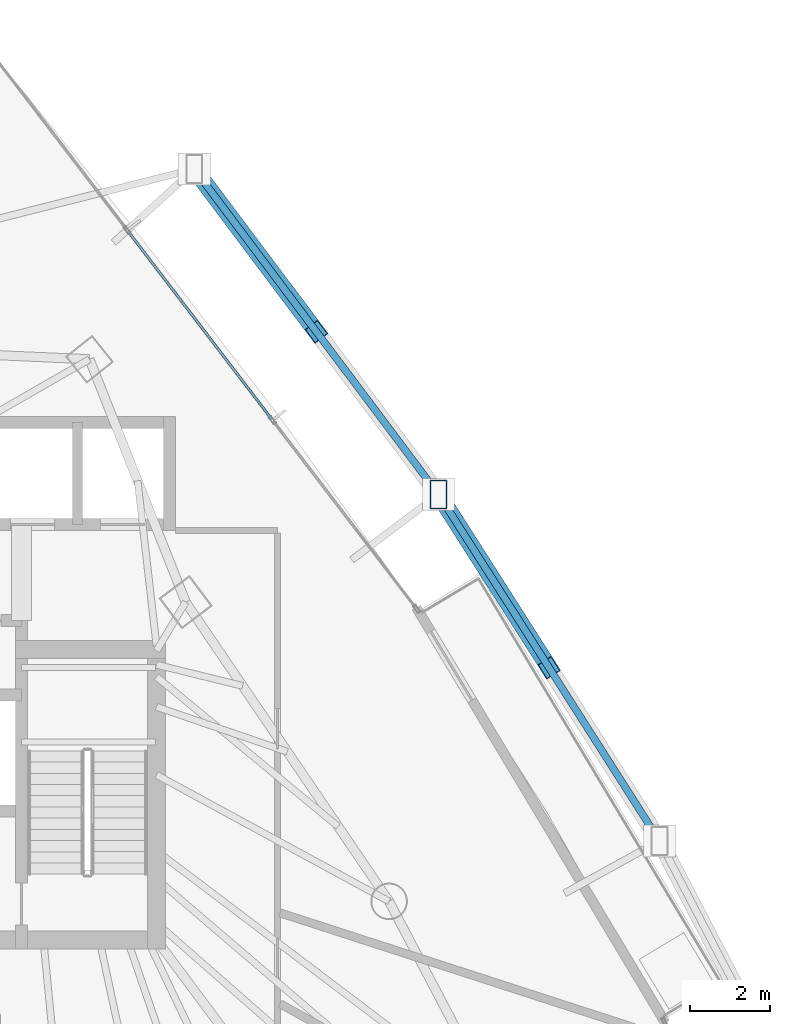
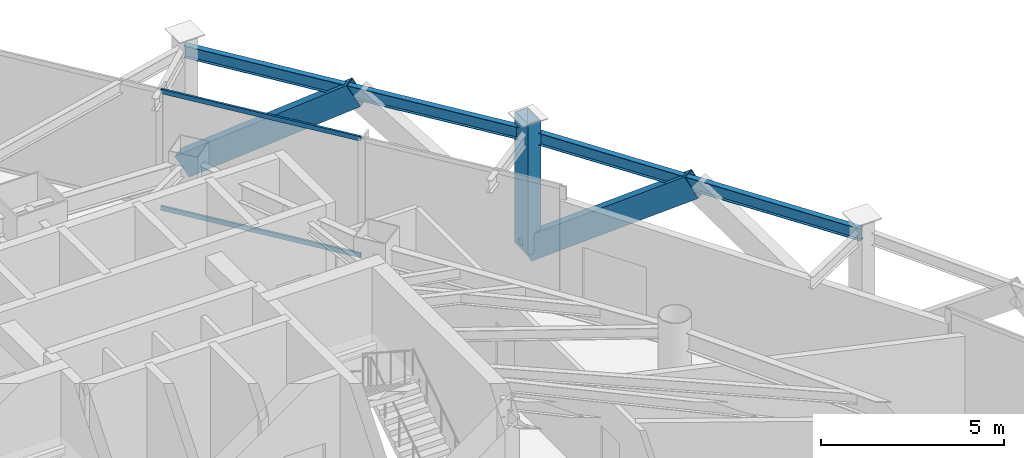
# One storey, part 25 of 33: 5 members, 2 beams, 1 element without a shape of its own.
"""IFC4 building model written with IfcOpenShell, lengths in metres."""

from ifc_helpers import new_model, si_unit, direction, frame, origin, origin_2d, place, context, subcontext, project, spatial, hollow_rectangle, i_section, extrude, material, layer, layer_set, material_profile, profile_set, type_object, element, aggregate, save


model = new_model("IFC4")

# Units and contexts
model_context = context("Model", 3, precision=1e-05, world=origin(), true_north=direction((0.0, 1.0)))
body_context = subcontext(model_context, "Body", "Model", "MODEL_VIEW")
ifc_project = project(units=[si_unit("LENGTHUNIT", "METRE"), si_unit("AREAUNIT", "SQUARE_METRE"), si_unit("VOLUMEUNIT", "CUBIC_METRE"), si_unit("PLANEANGLEUNIT", "RADIAN"), si_unit("MASSUNIT", "GRAM", prefix="KILO")], contexts=[model_context])

# Site, building, storey
site_placement = place(None, origin())
site = spatial("IfcSite", under=ifc_project, at=site_placement, CompositionType="ELEMENT")
building_placement = place(site_placement, origin())
building = spatial("IfcBuilding", under=site, at=building_placement, Name="Orvanel Arch Residences", CompositionType="ELEMENT")
storey_placement = place(building_placement, frame((0.0, 0.0, 97.25)))
storey = spatial("IfcBuildingStorey", under=building, at=storey_placement, Name="L27", CompositionType="ELEMENT", Elevation=97.25)

# Members
ifc_material_1 = material(Name="Structural steel AS/NZS 3678 Grade 350", Category="steel")
ifc_material_profile_1 = material_profile(ifc_material_1, hollow_rectangle(XDim=0.419921875, YDim=0.719970703125, WallThickness=0.02490234375, at=origin_2d()), Name="RHS720x420x25")
ifc_profile_set_1 = profile_set([ifc_material_profile_1], Name="Structural steel AS/NZS 3678 Grade 350")
member_type_1 = type_object("IfcMemberType", Name="BR-720RHS-EXT", PredefinedType="BRACE", material=ifc_profile_set_1)
member_1_placement = place(storey_placement, frame((46.6689453125, 37.800048828125, 0.0), z_axis=(0.434177525212, -0.680840476155, 0.589869581035), x_axis=(0.843147634479, 0.537682124003, 0.0)))
element("IfcMember", 1, at=member_1_placement, inside=storey, type_object=member_type_1, Name="L27 Exterior Sky-Garden V-Frame Chevron F3B2.2", PredefinedType="BRACE", context=body_context, shape_type="SweptSolid", body=[
    extrude(hollow_rectangle(XDim=0.419921875, YDim=0.719970703125, WallThickness=0.02490234375, at=origin_2d()), origin(), (0.0, 0.0, 1.0), 6.352294921875),
])
member_2_placement = place(storey_placement, frame((40.56591796875, 45.927978515625, 0.0), z_axis=(0.483224985191, -0.643655525605, 0.593465397512), x_axis=(0.799711654048, 0.600384268931, 0.0)))
element("IfcMember", 2, at=member_2_placement, inside=storey, type_object=member_type_1, Name="L27 Exterior Sky-Garden V-Frame Chevron F3B3.2", PredefinedType="BRACE", context=body_context, shape_type="SweptSolid", body=[
    extrude(hollow_rectangle(XDim=0.419921875, YDim=0.719970703125, WallThickness=0.02490234375, at=origin_2d()), origin(), (0.0, 0.0, 1.0), 6.31396484375),
])
ifc_material_profile_2 = material_profile(ifc_material_1, hollow_rectangle(XDim=0.419921875, YDim=0.719970703125, WallThickness=0.02490234375, at=origin_2d()), Name="RHS720x420x25")
ifc_profile_set_2 = profile_set([ifc_material_profile_2], Name="Structural steel AS/NZS 3678 Grade 350")
member_type_2 = type_object("IfcMemberType", Name="CH-720RHS-EXT", PredefinedType="CHORD", material=ifc_profile_set_2)
member_3_placement = place(storey_placement, frame((46.6689453125, 37.800048828125, 0.0), z_axis=(0.0, 0.0, 1.0), x_axis=(1.0, 0.0, 0.0)))
element("IfcMember", 3, at=member_3_placement, inside=storey, type_object=member_type_2, Name="L27 Outer Perimeter Frame Post 11", PredefinedType="CHORD", context=body_context, shape_type="SweptSolid", body=[
    extrude(hollow_rectangle(XDim=0.419921875, YDim=0.719970703125, WallThickness=0.02490234375, at=origin_2d()), origin(), (0.0, 0.0, 1.0), 4.35009765625),
])

# Beams
ifc_material_2 = material(Name="Structural steel AS/NZS 3679.1 Grade 300 (300 MPa)", Category="steel")
ifc_material_profile_3 = material_profile(ifc_material_2, i_section(OverallWidth=0.177978515625, OverallDepth=0.406005859375, WebThickness=0.0078125, FlangeThickness=0.0126953125, at=origin_2d()), Name="410UB59.7")
ifc_profile_set_3 = profile_set([ifc_material_profile_3], Name="Structural steel AS/NZS 3679.1 Grade 300 (300 MPa)")
beam_type = type_object("IfcBeamType", Name="OB-410UB-EXT", PredefinedType="SPANDREL", material=ifc_profile_set_3)
beam_1_placement = place(storey_placement, frame((52.18505859375, 29.14990234375, 3.7470703125), z_axis=(-0.53767133566, 0.843154514197, 0.0), x_axis=(-0.843154514197, -0.53767133566, 0.0)))
element("IfcBeam", 4, at=beam_1_placement, inside=storey, type_object=beam_type, Name="L27 Outer Perimeter Floor Ring Beam 10", PredefinedType="SPANDREL", context=body_context, shape_type="SweptSolid", body=[
    extrude(i_section(OverallWidth=0.177978515625, OverallDepth=0.406005859375, WebThickness=0.0078125, FlangeThickness=0.0126953125, at=origin_2d()), origin(), (0.0, 0.0, 1.0), 10.25927734375),
])
beam_2_placement = place(storey_placement, frame((46.6689453125, 37.800048828125, 3.7470703125), z_axis=(-0.600445713401, 0.799665520864, 0.0), x_axis=(-0.799665520864, -0.600445713401, 0.0)))
element("IfcBeam", 5, at=beam_2_placement, inside=storey, type_object=beam_type, Name="L27 Outer Perimeter Floor Ring Beam 11", PredefinedType="SPANDREL", context=body_context, shape_type="SweptSolid", body=[
    extrude(i_section(OverallWidth=0.177978515625, OverallDepth=0.406005859375, WebThickness=0.0078125, FlangeThickness=0.0126953125, at=origin_2d()), origin(), (0.0, 0.0, 1.0), 10.1640625),
])

# Curtain wall, members
ifc_material_3 = material(Name="Bronze-anodised aluminium AA6063-T6", Category="aluminium")
ifc_layer = layer(ifc_material_3, 0.195068359375)
ifc_layer_set = layer_set([ifc_layer], Name="Bronze-anodised aluminium AA6063-T6")
curtain_wall_type = type_object("IfcCurtainWallType", Name="CW6-COM-SYS", PredefinedType="NOTDEFINED", material=ifc_layer_set)
curtain_wall_placement = place(storey_placement, origin())
curtain_wall = element("IfcCurtainWall", 6, at=curtain_wall_placement, inside=storey, type_object=curtain_wall_type, Name="L27 CW6-COM-SYS Unitised Curtain Wall", PredefinedType="NOTDEFINED")
ifc_material_profile_4 = material_profile(ifc_material_3, hollow_rectangle(XDim=0.06494140625, YDim=0.14990234375, WallThickness=0.00390625, at=origin_2d()), Name="ALU150x65x4")
ifc_profile_set_4 = profile_set([ifc_material_profile_4], Name="Bronze-anodised aluminium AA6063-T6")
member_type_3 = type_object("IfcMemberType", Name="TRN-150x65", PredefinedType="USERDEFINED", material=ifc_profile_set_4)
member_4_placement = place(storey_placement, frame((42.498779296875, 39.68505859375, 0.032470703125), z_axis=(-0.607502335514, 0.794317891241, 0.0), x_axis=(-0.794317891241, -0.607502335514, 0.0)))
member_4 = element("IfcMember", 7, at=member_4_placement, type_object=member_type_3, Name="CW-S6 transom 2.1", ObjectType="TRANSOM", PredefinedType="USERDEFINED", context=body_context, shape_type="SweptSolid", body=[
    extrude(hollow_rectangle(XDim=0.06494140625, YDim=0.14990234375, WallThickness=0.00390625, at=origin_2d()), origin(), (0.0, 0.0, 1.0), 5.899169921875),
])
member_5_placement = place(storey_placement, frame((42.498779296875, 39.68505859375, 3.91748046875), z_axis=(-0.607502335514, 0.794317891241, 0.0), x_axis=(-0.794317891241, -0.607502335514, 0.0)))
member_5 = element("IfcMember", 8, at=member_5_placement, type_object=member_type_3, Name="CW-S6 transom 2.2", ObjectType="TRANSOM", PredefinedType="USERDEFINED", context=body_context, shape_type="SweptSolid", body=[
    extrude(hollow_rectangle(XDim=0.06494140625, YDim=0.14990234375, WallThickness=0.00390625, at=origin_2d()), origin(), (0.0, 0.0, 1.0), 5.899169921875),
])
aggregate(curtain_wall, [member_4, member_5])

save(model, "model.ifc")
